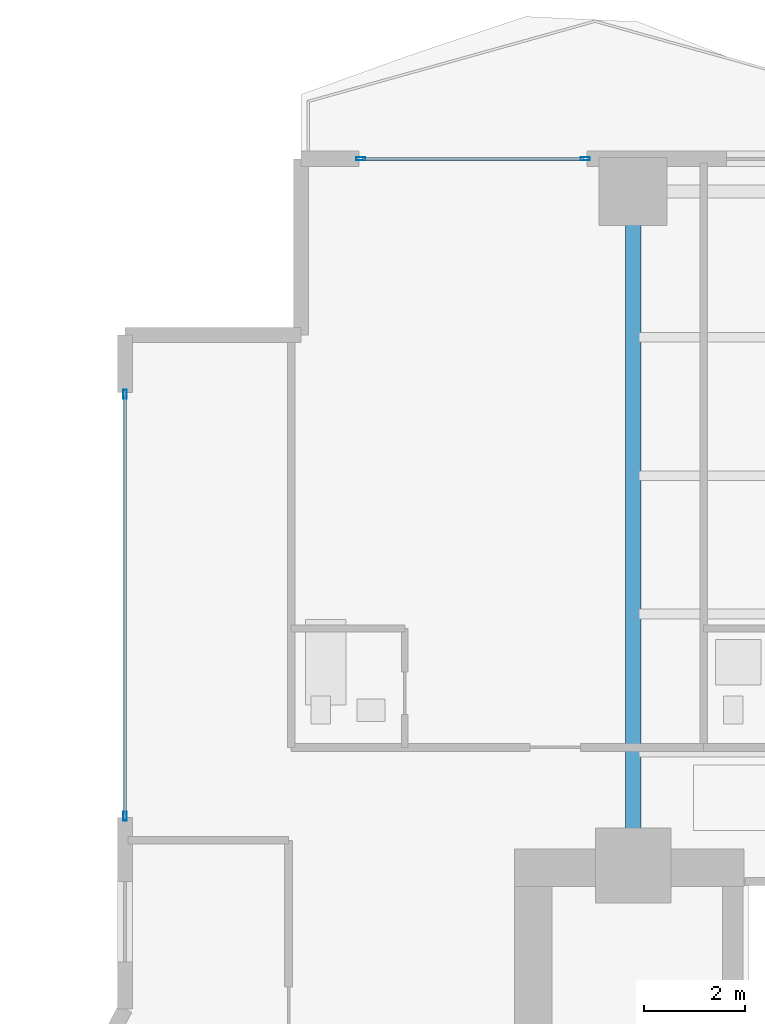
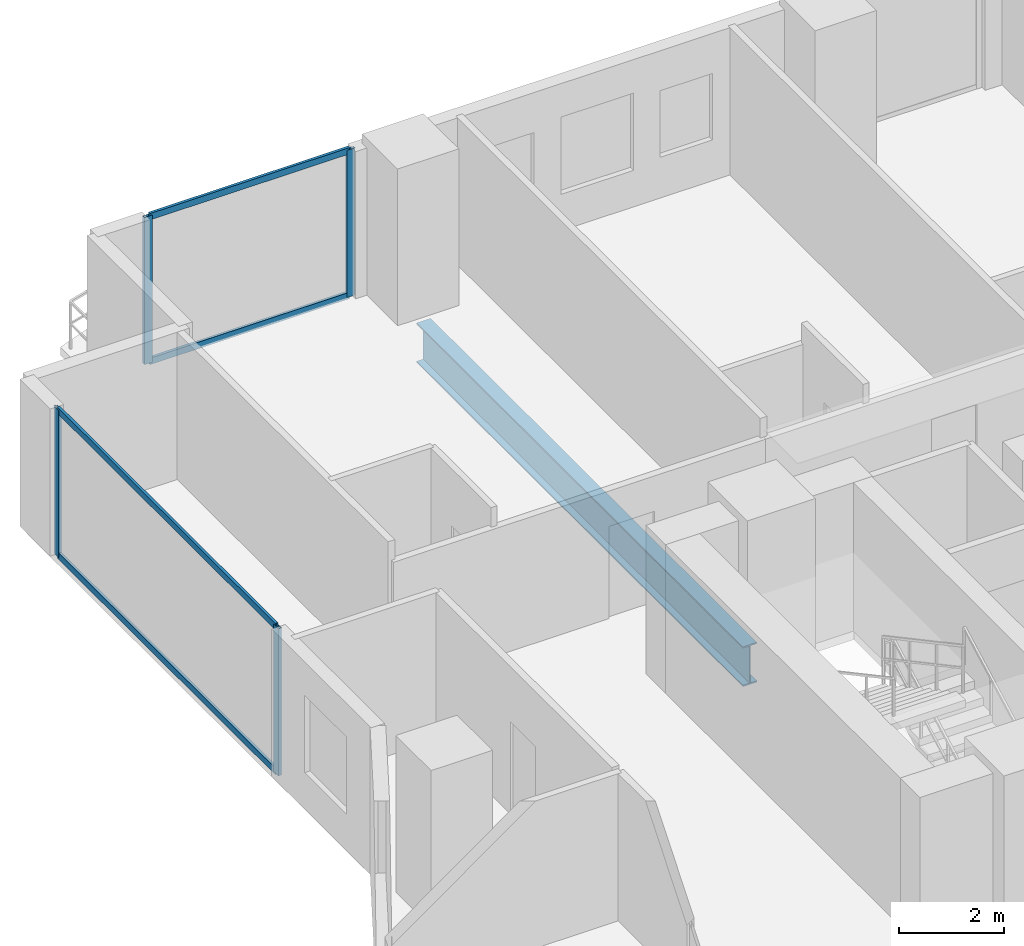
# One storey, part 14 of 27: 8 members, 1 beam, 2 elements without a shape of their own.
"""IFC4 building model written with IfcOpenShell, lengths in metres."""

from ifc_helpers import new_model, si_unit, direction, frame, origin, origin_2d, place, context, subcontext, project, spatial, hollow_rectangle, i_section, extrude, material, layer, layer_set, material_profile, profile_set, type_object, element, aggregate, save


model = new_model("IFC4")

# Units and contexts
model_context = context("Model", 3, precision=1e-05, world=origin(), true_north=direction((0.0, 1.0)))
body_context = subcontext(model_context, "Body", "Model", "MODEL_VIEW")
ifc_project = project(units=[si_unit("LENGTHUNIT", "METRE"), si_unit("AREAUNIT", "SQUARE_METRE"), si_unit("VOLUMEUNIT", "CUBIC_METRE"), si_unit("PLANEANGLEUNIT", "RADIAN"), si_unit("MASSUNIT", "GRAM", prefix="KILO")], contexts=[model_context])

# Site, building, storey
site_placement = place(None, origin())
site = spatial("IfcSite", under=ifc_project, at=site_placement, CompositionType="ELEMENT")
building_placement = place(site_placement, origin())
building = spatial("IfcBuilding", under=site, at=building_placement, Name="Zuhayl Quay Hotel", CompositionType="ELEMENT")
storey_placement = place(building_placement, frame((0.0, 0.0, 102.949951171875)))
storey = spatial("IfcBuildingStorey", under=building, at=storey_placement, Name="L25", CompositionType="ELEMENT", Elevation=102.949951171875)

# Beam
ifc_material_1 = material(Name="Steel ASTM A992 Grade 50", Category="steel")
ifc_material_profile_1 = material_profile(ifc_material_1, i_section(OverallWidth=0.306884765625, OverallDepth=0.927001953125, WebThickness=0.019287109375, FlangeThickness=0.031982421875, at=origin_2d()), Name="W36X194")
ifc_profile_set_1 = profile_set([ifc_material_profile_1], Name="Steel ASTM A992 Grade 50")
beam_type = type_object("IfcBeamType", Name="BM_PG2_W36X194", PredefinedType="BEAM", material=ifc_profile_set_1)
beam_placement = place(storey_placement, frame((-13.800048828125, 14.800048828125, -0.683349609375), z_axis=(0.0, 1.0, 0.0), x_axis=(-1.0, 0.0, 0.0)))
element("IfcBeam", 1, at=beam_placement, inside=storey, type_object=beam_type, Name="L25 Floor Beam FG_N_L25_1", PredefinedType="BEAM", context=body_context, shape_type="SweptSolid", body=[
    extrude(i_section(OverallWidth=0.306884765625, OverallDepth=0.927001953125, WebThickness=0.019287109375, FlangeThickness=0.031982421875, at=origin_2d()), origin(), (0.0, 0.0, 1.0), 12.449951171875),
])

# Curtain wall, members
ifc_material_2 = material(Name="Anodised Aluminium 6063-T6", Category="aluminium")
ifc_layer = layer(ifc_material_2, 0.179931640625, Name="Anodised Aluminium 6063-T6", Category="aluminium")
ifc_layer_set = layer_set([ifc_layer], Name="Anodised Aluminium 6063-T6")
curtain_wall_type = type_object("IfcCurtainWallType", Name="CW_SYS_Z2", PredefinedType="USERDEFINED", material=ifc_layer_set)
curtain_wall_1_placement = place(storey_placement, origin())
curtain_wall_1 = element("IfcCurtainWall", 2, at=curtain_wall_1_placement, inside=storey, type_object=curtain_wall_type, Name="L25 Curtain Wall ENV_L25_E05_CW1", ObjectType="UNITISED CURTAIN WALL", PredefinedType="USERDEFINED")
ifc_material_3 = material(Name="Black-anodised aluminium 6063-T6", Category="aluminium")
ifc_material_profile_2 = material_profile(ifc_material_3, hollow_rectangle(XDim=0.06494140625, YDim=0.179931640625, WallThickness=0.00341796875, at=origin_2d()), Name="ALU180X65")
ifc_profile_set_2 = profile_set([ifc_material_profile_2], Name="Black-anodised aluminium 6063-T6")
member_type_1 = type_object("IfcMemberType", Name="MB_CW_MUL_180", PredefinedType="MULLION", material=ifc_profile_set_2)
member_1_placement = place(storey_placement, frame((-23.89990234375, 15.33251953125, 0.0), z_axis=(0.0, 0.0, 1.0), x_axis=(-1.0, 0.0, 0.0)))
member_1 = element("IfcMember", 3, at=member_1_placement, type_object=member_type_1, Name="CW-Z2 mullion 1", PredefinedType="MULLION", context=body_context, shape_type="SweptSolid", body=[
    extrude(hollow_rectangle(XDim=0.06494140625, YDim=0.179931640625, WallThickness=0.00341796875, at=origin_2d()), origin(), (0.0, 0.0, 1.0), 3.429931640625),
])
member_2_placement = place(storey_placement, frame((-23.89990234375, 23.717529296875, 0.0), z_axis=(0.0, 0.0, 1.0), x_axis=(-1.0, 0.0, 0.0)))
member_2 = element("IfcMember", 4, at=member_2_placement, type_object=member_type_1, Name="CW-Z2 mullion 2", PredefinedType="MULLION", context=body_context, shape_type="SweptSolid", body=[
    extrude(hollow_rectangle(XDim=0.06494140625, YDim=0.179931640625, WallThickness=0.00341796875, at=origin_2d()), origin(), (0.0, 0.0, 1.0), 3.429931640625),
])

curtain_wall_2_placement = place(storey_placement, origin())
curtain_wall_2 = element("IfcCurtainWall", 5, at=curtain_wall_2_placement, inside=storey, type_object=curtain_wall_type, Name="L25 Curtain Wall ENV_L25_N_CW1", ObjectType="UNITISED CURTAIN WALL", PredefinedType="USERDEFINED")
member_3_placement = place(storey_placement, frame((-19.217529296875, 28.39990234375, 0.0), z_axis=(0.0, 0.0, 1.0), x_axis=(0.0, 1.0, 0.0)))
member_3 = element("IfcMember", 6, at=member_3_placement, type_object=member_type_1, Name="CW-Z2 mullion 1", PredefinedType="MULLION", context=body_context, shape_type="SweptSolid", body=[
    extrude(hollow_rectangle(XDim=0.06494140625, YDim=0.179931640625, WallThickness=0.00341796875, at=origin_2d()), origin(), (0.0, 0.0, 1.0), 3.429931640625),
])
member_4_placement = place(storey_placement, frame((-14.75244140625, 28.39990234375, 0.0), z_axis=(0.0, 0.0, 1.0), x_axis=(0.0, 1.0, 0.0)))
member_4 = element("IfcMember", 7, at=member_4_placement, type_object=member_type_1, Name="CW-Z2 mullion 2", PredefinedType="MULLION", context=body_context, shape_type="SweptSolid", body=[
    extrude(hollow_rectangle(XDim=0.06494140625, YDim=0.179931640625, WallThickness=0.00341796875, at=origin_2d()), origin(), (0.0, 0.0, 1.0), 3.429931640625),
])

# Member
ifc_material_profile_3 = material_profile(ifc_material_3, hollow_rectangle(XDim=0.06005859375, YDim=0.14990234375, WallThickness=0.00341796875, at=origin_2d()), Name="ALU150X60")
ifc_profile_set_3 = profile_set([ifc_material_profile_3], Name="Black-anodised aluminium 6063-T6")
member_type_2 = type_object("IfcMemberType", Name="MB_CW_TRN_150", PredefinedType="USERDEFINED", material=ifc_profile_set_3)
member_5_placement = place(storey_placement, frame((-23.89990234375, 15.364990234375, 0.030029296875), z_axis=(0.0, 1.0, 0.0), x_axis=(-1.0, 0.0, 0.0)))
member_5 = element("IfcMember", 8, at=member_5_placement, type_object=member_type_2, Name="CW-Z2 transom 1.1", ObjectType="TRANSOM", PredefinedType="USERDEFINED", context=body_context, shape_type="SweptSolid", body=[
    extrude(hollow_rectangle(XDim=0.06005859375, YDim=0.14990234375, WallThickness=0.00341796875, at=origin_2d()), origin(), (0.0, 0.0, 1.0), 8.320068359375),
])

member_6_placement = place(storey_placement, frame((-23.89990234375, 15.364990234375, 3.400146484375), z_axis=(0.0, 1.0, 0.0), x_axis=(-1.0, 0.0, 0.0)))
member_6 = element("IfcMember", 9, at=member_6_placement, type_object=member_type_2, Name="CW-Z2 transom 1.2", ObjectType="TRANSOM", PredefinedType="USERDEFINED", context=body_context, shape_type="SweptSolid", body=[
    extrude(hollow_rectangle(XDim=0.06005859375, YDim=0.14990234375, WallThickness=0.00341796875, at=origin_2d()), origin(), (0.0, 0.0, 1.0), 8.320068359375),
])

aggregate(curtain_wall_1, [member_1, member_2, member_5, member_6])

member_7_placement = place(storey_placement, frame((-19.18505859375, 28.39990234375, 0.030029296875), z_axis=(1.0, 0.0, 0.0), x_axis=(0.0, 1.0, 0.0)))
member_7 = element("IfcMember", 10, at=member_7_placement, type_object=member_type_2, Name="CW-Z2 transom 1.1", ObjectType="TRANSOM", PredefinedType="USERDEFINED", context=body_context, shape_type="SweptSolid", body=[
    extrude(hollow_rectangle(XDim=0.06005859375, YDim=0.14990234375, WallThickness=0.00341796875, at=origin_2d()), origin(), (0.0, 0.0, 1.0), 4.400146484375),
])

member_8_placement = place(storey_placement, frame((-19.18505859375, 28.39990234375, 3.400146484375), z_axis=(1.0, 0.0, 0.0), x_axis=(0.0, 1.0, 0.0)))
member_8 = element("IfcMember", 11, at=member_8_placement, type_object=member_type_2, Name="CW-Z2 transom 1.2", ObjectType="TRANSOM", PredefinedType="USERDEFINED", context=body_context, shape_type="SweptSolid", body=[
    extrude(hollow_rectangle(XDim=0.06005859375, YDim=0.14990234375, WallThickness=0.00341796875, at=origin_2d()), origin(), (0.0, 0.0, 1.0), 4.400146484375),
])

aggregate(curtain_wall_2, [member_3, member_4, member_7, member_8])

save(model, "model.ifc")
